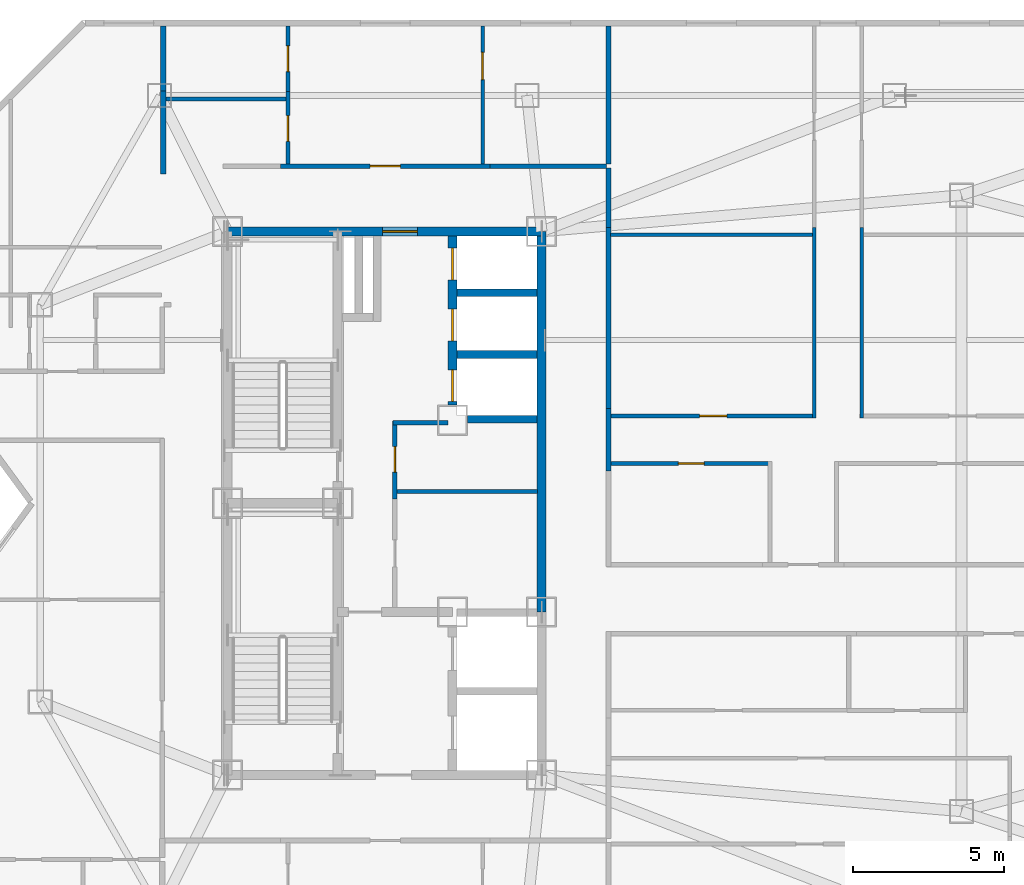
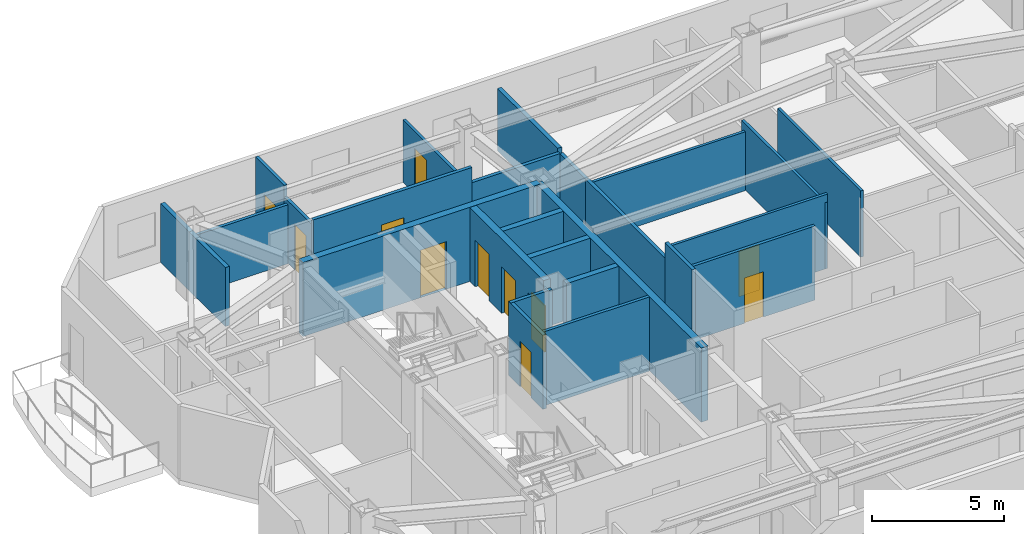
# One storey, part 6 of 11: 26 walls, 11 doors, 11 openings.
"""IFC4 building model written with IfcOpenShell, lengths in metres."""

import ifcopenshell
import ifcopenshell.guid

model = None  # the IFC model being written
_history = None  # IfcOwnerHistory: only IFC2X3 demands one
_inside = {}  # id of a spatial element -> (the spatial element, [elements in it])
_under = {}  # id of a project, library or spatial element -> (it, [spatial elements below it])
_declared = {}  # id of a project -> (the project, [libraries it declares])
_typed = {}  # id of a type object -> (the type object, [elements of that type])
_made_of = {}  # id of a material, layer set ... -> (it, [elements and type objects made of it])


def new_model(schema):
    """Start an empty IFC model of exactly this schema.

    Asked for "IFC4X3", IfcOpenShell would pick the latest addendum, in which some entities
    have other attributes; the version numbers below select the first issue.
    IFC2X3 requires an IfcOwnerHistory on every rooted entity: one is made here for all.
    """
    global model, _history
    if schema == "IFC4X3":
        model = ifcopenshell.file(schema_version=(4, 3, 0, 0))
    else:
        model = ifcopenshell.file(schema=schema)
    _inside.clear()
    _under.clear()
    _declared.clear()
    _typed.clear()
    _made_of.clear()
    _history = None
    if model.schema == "IFC2X3":
        org = make("IfcOrganization", Name="unknown")
        user = make(
            "IfcPersonAndOrganization",
            ThePerson=make("IfcPerson", FamilyName="unknown"),
            TheOrganization=org,
        )
        app = make(
            "IfcApplication",
            ApplicationDeveloper=org,
            Version="unknown",
            ApplicationFullName="unknown",
            ApplicationIdentifier="unknown",
        )
        _history = make(
            "IfcOwnerHistory",
            OwningUser=user,
            OwningApplication=app,
            ChangeAction="ADDED",
            CreationDate=0,
        )
    return model


def make(cls, **values):
    """One entity of the class cls with the attributes given. An attribute that is None is left unset."""
    return model.create_entity(
        cls, **{name: value for name, value in values.items() if value is not None}
    )


def rooted(cls, **values):
    """An entity with a GlobalId (a new one), such as an element, a storey or a relation."""
    return make(cls, GlobalId=ifcopenshell.guid.new(), OwnerHistory=_history, **values)


def si_unit(unit_type, name, prefix=None):
    """IfcSIUnit, for example si_unit("LENGTHUNIT", "METRE", prefix="MILLI")."""
    return make("IfcSIUnit", UnitType=unit_type, Prefix=prefix, Name=name)


def assignment(units):
    """IfcUnitAssignment: the units of a project."""
    return None if units is None else make("IfcUnitAssignment", Units=units)


def point(xyz):
    """IfcCartesianPoint."""
    return None if xyz is None else make("IfcCartesianPoint", Coordinates=xyz)


def direction(xyz):
    """IfcDirection."""
    return None if xyz is None else make("IfcDirection", DirectionRatios=xyz)


def frame(location, z_axis=None, x_axis=None):
    """IfcAxis2Placement3D, a coordinate frame: its origin and axes. An axis left out is left unset."""
    return make(
        "IfcAxis2Placement3D",
        Location=point(location),
        Axis=direction(z_axis),
        RefDirection=direction(x_axis),
    )


def frame_2d(location, x_axis=None):
    """IfcAxis2Placement2D, a coordinate frame in the plane: its origin and x axis."""
    return make(
        "IfcAxis2Placement2D", Location=point(location), RefDirection=direction(x_axis)
    )


def origin():
    """The frame at (0, 0, 0) with its axes left unset."""
    return frame((0.0, 0.0, 0.0))


def place(relative_to, where):
    """IfcLocalPlacement: puts the frame where relative to a parent placement (None: the world)."""
    return make(
        "IfcLocalPlacement", PlacementRelTo=relative_to, RelativePlacement=where
    )


def context(
    kind, dimensions, precision=None, world=None, true_north=None, identifier=None
):
    """IfcGeometricRepresentationContext, for example the 3D "Model" context."""
    return make(
        "IfcGeometricRepresentationContext",
        ContextIdentifier=identifier,
        ContextType=kind,
        CoordinateSpaceDimension=dimensions,
        Precision=precision,
        WorldCoordinateSystem=world,
        TrueNorth=true_north,
    )


def subcontext(parent, identifier, kind, view, scale=None):
    """IfcGeometricRepresentationSubContext, for example "Body" below "Model"."""
    return make(
        "IfcGeometricRepresentationSubContext",
        ContextIdentifier=identifier,
        ContextType=kind,
        ParentContext=parent,
        TargetScale=scale,
        TargetView=view,
    )


def project(units=None, contexts=None):
    """IfcProject with its units and contexts."""
    return rooted(
        "IfcProject",
        Name="project",
        RepresentationContexts=contexts,
        UnitsInContext=assignment(units),
    )


def spatial(cls, under=None, at=None, **own):
    """A site, building, storey or space (cls), placed at a placement, below another one or the project."""
    s = rooted(cls, ObjectPlacement=at, **own)
    if under is not None:
        _under.setdefault(under.id(), (under, []))[1].append(s)
    return s


def profile(cls, at=None, kind="AREA", **sizes):
    """A parametric profile (cls). Its sizes go by their IFC names, for example OverallWidth=200.0."""
    return make(cls, ProfileType=kind, Position=at, **sizes)


def rectangle(**sizes):
    """IfcRectangleProfileDef."""
    return profile("IfcRectangleProfileDef", **sizes)


def extrude(swept, where, along, depth):
    """IfcExtrudedAreaSolid: the profile swept, set in the frame where, extruded along a direction by depth."""
    return make(
        "IfcExtrudedAreaSolid",
        SweptArea=swept,
        Position=where,
        ExtrudedDirection=direction(along),
        Depth=depth,
    )


def shape(context_of_items, identifier, shape_type, items):
    """IfcShapeRepresentation: the items that make up one representation, for example the "Body"."""
    return make(
        "IfcShapeRepresentation",
        ContextOfItems=context_of_items,
        RepresentationIdentifier=identifier,
        RepresentationType=shape_type,
        Items=items,
    )


def material(Name=None, Category=None):
    """IfcMaterial."""
    return make("IfcMaterial", Name=Name, Category=Category)


def layer(
    of_material, thickness, ventilated=None, Name=None, Category=None, Priority=None
):
    """IfcMaterialLayer: one layer of a wall or slab, of a material (None: an air gap)."""
    return make(
        "IfcMaterialLayer",
        Material=of_material,
        LayerThickness=thickness,
        IsVentilated=ventilated,
        Name=Name,
        Category=Category,
        Priority=Priority,
    )


def layer_set(layers, Name=None):
    """IfcMaterialLayerSet."""
    return make("IfcMaterialLayerSet", MaterialLayers=layers, LayerSetName=Name)


def made_of(thing, what):
    """Note that an element or type object is made of a material, layer set ...; save() writes the relation."""
    if what is not None:
        _made_of.setdefault(what.id(), (what, []))[1].append(thing)
    return thing


def type_object(cls, material=None, **own):
    """A type object (cls), such as IfcWallType, which elements share."""
    return made_of(rooted(cls, **own), material)


def element(
    cls,
    number,
    at=None,
    inside=None,
    cuts=None,
    type_object=None,
    material=None,
    context=None,
    identifier="Body",
    shape_type=None,
    held_by="IfcProductDefinitionShape",
    body=None,
    shapes=None,
    **own,
):
    """One element of the class cls, such as IfcWall. Its Tag is "e" and its number.

    at: its placement. inside: the storey or other place that contains it. cuts: it is an
    opening in that element (IfcRelVoidsElement). A single representation is given by context,
    identifier, shape_type and body (its items); several are given by shapes. held_by: the class
    of the entity that holds the representations. save() writes the other relations.
    """
    e = rooted(cls, Tag="e%d" % number, ObjectPlacement=at, **own)
    if body is not None:
        shapes = [shape(context, identifier, shape_type, body)]
    if shapes is not None:
        e.Representation = make(held_by, Representations=shapes)
    if inside is not None:
        _inside.setdefault(inside.id(), (inside, []))[1].append(e)
    if cuts is not None:
        rooted(
            "IfcRelVoidsElement", RelatingBuildingElement=cuts, RelatedOpeningElement=e
        )
    if type_object is not None:
        _typed.setdefault(type_object.id(), (type_object, []))[1].append(e)
    return made_of(e, material)


def fill(opening, filler):
    """IfcRelFillsElement: the door or window that sits in an opening."""
    return rooted(
        "IfcRelFillsElement",
        RelatingOpeningElement=opening,
        RelatedBuildingElement=filler,
    )


def aggregate(whole, parts):
    """IfcRelAggregates: a whole, such as a stair, and the parts it consists of."""
    return rooted("IfcRelAggregates", RelatingObject=whole, RelatedObjects=parts)


def save(model, path):
    """Write the relations noted so far, then the file.

    IfcRelAggregates (storeys below a building ...), IfcRelContainedInSpatialStructure (elements
    in a storey), IfcRelDefinesByType, IfcRelAssociatesMaterial and IfcRelDeclares: one each for
    every whole, place, type object, material and project.
    """
    for whole, parts in _under.values():
        aggregate(whole, parts)
    for where, things in _inside.values():
        rooted(
            "IfcRelContainedInSpatialStructure",
            RelatedElements=things,
            RelatingStructure=where,
        )
    for kind, things in _typed.values():
        rooted("IfcRelDefinesByType", RelatedObjects=things, RelatingType=kind)
    for what, things in _made_of.values():
        rooted("IfcRelAssociatesMaterial", RelatedObjects=things, RelatingMaterial=what)
    for by, libraries in _declared.values():
        rooted("IfcRelDeclares", RelatingContext=by, RelatedDefinitions=libraries)
    model.write(path)


model = new_model("IFC4")

# Units and contexts
model_context = context("Model", 3, precision=1e-05, world=origin(), true_north=direction((0.0, 1.0)))
body_context = subcontext(model_context, "Body", "Model", "MODEL_VIEW")
ifc_project = project(units=[si_unit("LENGTHUNIT", "METRE"), si_unit("AREAUNIT", "SQUARE_METRE"), si_unit("VOLUMEUNIT", "CUBIC_METRE"), si_unit("PLANEANGLEUNIT", "RADIAN"), si_unit("MASSUNIT", "GRAM", prefix="KILO")], contexts=[model_context])

# Site, building, storey
site_placement = place(None, origin())
site = spatial("IfcSite", under=ifc_project, at=site_placement, CompositionType="ELEMENT")
building_placement = place(site_placement, origin())
building = spatial("IfcBuilding", under=site, at=building_placement, Name="Khamvora Tower", CompositionType="ELEMENT")
storey_placement = place(building_placement, frame((0.0, 0.0, 239.10009765625)))
storey = spatial("IfcBuildingStorey", under=building, at=storey_placement, Name="L61", CompositionType="ELEMENT", Elevation=239.10009765625)

# Wall, opening, door
ifc_material_1 = material(Name="Concrete C50/60", Category="concrete")
ifc_layer_1 = layer(ifc_material_1, 0.300048828125)
ifc_layer_set_1 = layer_set([ifc_layer_1], Name="Concrete C50/60")
wall_type_1 = type_object("IfcWallType", Name="WAL-CORE-300", PredefinedType="SHEAR", material=ifc_layer_set_1)
wall_1_placement = place(storey_placement, frame((29.0, 37.0, 0.0), z_axis=(0.0, 0.0, 1.0), x_axis=(1.0, 0.0, 0.0)))
wall_1 = element("IfcWall", 1, at=wall_1_placement, inside=storey, type_object=wall_type_1, Name="L61 central core north wall", PredefinedType="SHEAR", context=body_context, shape_type="SweptSolid", body=[
    extrude(rectangle(XDim=10.39990234375, YDim=0.300048828125, at=frame_2d((5.199951171875, 0.0))), origin(), (0.0, 0.0, 1.0), 3.429931640625),
])
opening_1_placement = place(wall_1_placement, frame((5.139892578125, 0.0, 0.0)))
opening_1 = element("IfcOpeningElement", 2, at=opening_1_placement, cuts=wall_1, Name="Opening D-SC1", PredefinedType="OPENING", context=body_context, shape_type="SweptSolid", body=[
    extrude(rectangle(XDim=1.14990234375, YDim=2.199951171875, at=frame_2d((0.574951171875, 1.10009765625))), frame((0.0, 0.159912109375, 0.0), z_axis=(0.0, -1.0, 0.0), x_axis=(1.0, 0.0, 0.0)), (0.0, 0.0, 1.0), 0.320068359375),
])
ifc_material_2 = material(Name="Powder-Coated Steel and Hardwood Leaf", Category="steel")
door_type_1 = type_object("IfcDoorType", Name="DOR-SCHL-1150", OperationType="NOTDEFINED", PredefinedType="DOOR", material=ifc_material_2)
door_1_placement = place(opening_1_placement, origin())
door_1 = element("IfcDoor", 3, at=door_1_placement, inside=storey, type_object=door_type_1, Name="L61 north core lobby to corridor fire door", OperationType="SINGLE_SWING_RIGHT", OverallHeight=2.199951171875, OverallWidth=1.14990234375, PredefinedType="DOOR", context=body_context, shape_type="SweptSolid", body=[
    extrude(rectangle(XDim=1.14990234375, YDim=2.199951171875, at=frame_2d((0.574951171875, 1.10009765625))), frame((0.0, 0.02490234375, 0.0), z_axis=(0.0, -1.0, 0.0), x_axis=(1.0, 0.0, 0.0)), (0.0, 0.0, 1.0), 0.050048828125),
])
fill(opening_1, door_1)

# Wall
wall_2_placement = place(storey_placement, frame((39.39990234375, 24.39990234375, 0.0), z_axis=(0.0, 0.0, 1.0), x_axis=(0.0, 1.0, 0.0)))
element("IfcWall", 4, at=wall_2_placement, inside=storey, type_object=wall_type_1, Name="L61 central core east north wall", PredefinedType="SHEAR", context=body_context, shape_type="SweptSolid", body=[
    extrude(rectangle(XDim=12.60009765625, YDim=0.300048828125, at=frame_2d((6.300048828125, 0.0))), origin(), (0.0, 0.0, 1.0), 3.429931640625),
])

# Wall, openings, doors
wall_3_placement = place(storey_placement, frame((36.449951171875, 31.25, 0.0), z_axis=(0.0, 0.0, 1.0), x_axis=(0.0, 1.0, 0.0)))
wall_3 = element("IfcWall", 5, at=wall_3_placement, inside=storey, type_object=wall_type_1, Name="L61 central core lift bank central wall", PredefinedType="SHEAR", context=body_context, shape_type="SweptSolid", body=[
    extrude(rectangle(XDim=5.595947265625, YDim=0.300048828125, at=frame_2d((2.7978515625, 0.0))), origin(), (0.0, 0.0, 1.0), 3.429931640625),
])
opening_2_placement = place(wall_3_placement, frame((0.1201171875, 0.0, 0.0)))
opening_2 = element("IfcOpeningElement", 6, at=opening_2_placement, cuts=wall_3, Name="Opening LD-PL", PredefinedType="OPENING", context=body_context, shape_type="SweptSolid", body=[
    extrude(rectangle(XDim=1.050048828125, YDim=2.14990234375, at=frame_2d((0.52490234375, 1.074951171875))), frame((0.0, 0.159912109375, 0.0), z_axis=(0.0, -1.0, 0.0), x_axis=(1.0, 0.0, 0.0)), (0.0, 0.0, 1.0), 0.320068359375),
])
opening_3_placement = place(wall_3_placement, frame((2.125, 0.0, 0.0)))
opening_3 = element("IfcOpeningElement", 7, at=opening_3_placement, cuts=wall_3, Name="Opening LD-PL", PredefinedType="OPENING", context=body_context, shape_type="SweptSolid", body=[
    extrude(rectangle(XDim=1.050048828125, YDim=2.14990234375, at=frame_2d((0.52490234375, 1.074951171875))), frame((0.0, 0.159912109375, 0.0), z_axis=(0.0, -1.0, 0.0), x_axis=(1.0, 0.0, 0.0)), (0.0, 0.0, 1.0), 0.320068359375),
])
opening_4_placement = place(wall_3_placement, frame((4.14501953125, 0.0, 0.0)))
opening_4 = element("IfcOpeningElement", 8, at=opening_4_placement, cuts=wall_3, Name="Opening LD-PL", PredefinedType="OPENING", context=body_context, shape_type="SweptSolid", body=[
    extrude(rectangle(XDim=1.050048828125, YDim=2.14990234375, at=frame_2d((0.52490234375, 1.074951171875))), frame((0.0, 0.159912109375, 0.0), z_axis=(0.0, -1.0, 0.0), x_axis=(1.0, 0.0, 0.0)), (0.0, 0.0, 1.0), 0.320068359375),
])
door_type_2 = type_object("IfcDoorType", Name="DOR-LIFT-1050", OperationType="SLIDING_TO_LEFT", PredefinedType="DOOR", material=ifc_material_2)
door_2_placement = place(opening_2_placement, origin())
door_2 = element("IfcDoor", 9, at=door_2_placement, inside=storey, type_object=door_type_2, Name="L61 lift landing sliding door PH-01", OperationType="SLIDING_TO_LEFT", OverallHeight=2.14990234375, OverallWidth=1.050048828125, PredefinedType="DOOR", context=body_context, shape_type="SweptSolid", body=[
    extrude(rectangle(XDim=1.050048828125, YDim=2.14990234375, at=frame_2d((0.52490234375, 1.074951171875))), frame((0.0, 0.02490234375, 0.0), z_axis=(0.0, -1.0, 0.0), x_axis=(1.0, 0.0, 0.0)), (0.0, 0.0, 1.0), 0.050048828125),
])
fill(opening_2, door_2)
door_3_placement = place(opening_3_placement, origin())
door_3 = element("IfcDoor", 10, at=door_3_placement, inside=storey, type_object=door_type_2, Name="L61 lift landing sliding door PH-02", OperationType="SLIDING_TO_LEFT", OverallHeight=2.14990234375, OverallWidth=1.050048828125, PredefinedType="DOOR", context=body_context, shape_type="SweptSolid", body=[
    extrude(rectangle(XDim=1.050048828125, YDim=2.14990234375, at=frame_2d((0.52490234375, 1.074951171875))), frame((0.0, 0.02490234375, 0.0), z_axis=(0.0, -1.0, 0.0), x_axis=(1.0, 0.0, 0.0)), (0.0, 0.0, 1.0), 0.050048828125),
])
fill(opening_3, door_3)
door_4_placement = place(opening_4_placement, origin())
door_4 = element("IfcDoor", 11, at=door_4_placement, inside=storey, type_object=door_type_2, Name="L61 lift landing sliding door PH-03", OperationType="SLIDING_TO_LEFT", OverallHeight=2.14990234375, OverallWidth=1.050048828125, PredefinedType="DOOR", context=body_context, shape_type="SweptSolid", body=[
    extrude(rectangle(XDim=1.050048828125, YDim=2.14990234375, at=frame_2d((0.52490234375, 1.074951171875))), frame((0.0, 0.02490234375, 0.0), z_axis=(0.0, -1.0, 0.0), x_axis=(1.0, 0.0, 0.0)), (0.0, 0.0, 1.0), 0.050048828125),
])
fill(opening_4, door_4)

# Wall
ifc_material_3 = material(Name="Fire-Rated Drywall and Steel Stud", Category="steel")
ifc_layer_2 = layer(ifc_material_3, 0.14990234375)
ifc_layer_set_2 = layer_set([ifc_layer_2], Name="Fire-Rated Drywall and Steel Stud")
wall_type_2 = type_object("IfcWallType", Name="WAL-CORR-150", PredefinedType="STANDARD", material=ifc_layer_set_2)
wall_4_placement = place(storey_placement, frame((36.300048828125, 30.6650390625, 0.0), z_axis=(0.0, 0.0, 1.0), x_axis=(-1.0, 0.0, 0.0)))
element("IfcWall", 12, at=wall_4_placement, inside=storey, type_object=wall_type_2, Name="L61 interior partition wall 001", PredefinedType="STANDARD", context=body_context, shape_type="SweptSolid", body=[
    extrude(rectangle(XDim=1.820068359375, YDim=0.14990234375, at=frame_2d((0.91015625, 0.0))), origin(), (0.0, 0.0, 1.0), 3.429931640625),
])

# Wall, opening, door
wall_5_placement = place(storey_placement, frame((34.544921875, 30.72998046875, 0.0), z_axis=(0.0, 0.0, 1.0), x_axis=(0.0, -1.0, 0.0)))
wall_5 = element("IfcWall", 13, at=wall_5_placement, inside=storey, type_object=wall_type_2, Name="L61 interior partition wall 002", PredefinedType="STANDARD", context=body_context, shape_type="SweptSolid", body=[
    extrude(rectangle(XDim=2.593994140625, YDim=0.14990234375, at=frame_2d((1.296875, 0.0))), origin(), (0.0, 0.0, 1.0), 3.429931640625),
])
opening_5_placement = place(wall_5_placement, frame((0.85107421875, 0.0, 0.0)))
opening_5 = element("IfcOpeningElement", 14, at=opening_5_placement, cuts=wall_5, Name="Opening D-WC1", PredefinedType="OPENING", context=body_context, shape_type="SweptSolid", body=[
    extrude(rectangle(XDim=0.85009765625, YDim=2.10009765625, at=frame_2d((0.425048828125, 1.050048828125))), frame((0.0, 0.0849609375, 0.0), z_axis=(0.0, -1.0, 0.0), x_axis=(1.0, 0.0, 0.0)), (0.0, 0.0, 1.0), 0.169921875),
])
door_type_3 = type_object("IfcDoorType", Name="DOR-WET-850", OperationType="NOTDEFINED", PredefinedType="DOOR", material=ifc_material_2)
door_5_placement = place(opening_5_placement, origin())
door_5 = element("IfcDoor", 15, at=door_5_placement, inside=storey, type_object=door_type_3, Name="L61 interior door PHL-CS1", OperationType="SINGLE_SWING_LEFT", OverallHeight=2.10009765625, OverallWidth=0.85009765625, PredefinedType="DOOR", context=body_context, shape_type="SweptSolid", body=[
    extrude(rectangle(XDim=0.85009765625, YDim=2.10009765625, at=frame_2d((0.425048828125, 1.050048828125))), frame((0.0, 0.02490234375, 0.0), z_axis=(0.0, -1.0, 0.0), x_axis=(1.0, 0.0, 0.0)), (0.0, 0.0, 1.0), 0.050048828125),
])
fill(opening_5, door_5)

wall_6_placement = place(storey_placement, frame((30.7509765625, 39.1650390625, 0.0), z_axis=(0.0, 0.0, 1.0), x_axis=(1.0, 0.0, 0.0)))
wall_6 = element("IfcWall", 16, at=wall_6_placement, inside=storey, type_object=wall_type_2, Name="L61 interior partition wall 015", PredefinedType="STANDARD", context=body_context, shape_type="SweptSolid", body=[
    extrude(rectangle(XDim=6.947998046875, YDim=0.14990234375, at=frame_2d((3.47412109375, 0.0))), origin(), (0.0, 0.0, 1.0), 3.429931640625),
])
opening_6_placement = place(wall_6_placement, frame((2.97412109375, 0.0, 0.0)))
opening_6 = element("IfcOpeningElement", 17, at=opening_6_placement, cuts=wall_6, Name="Opening D-U1", PredefinedType="OPENING", context=body_context, shape_type="SweptSolid", body=[
    extrude(rectangle(XDim=1.0, YDim=2.14990234375, at=frame_2d((0.5, 1.074951171875))), frame((0.0, 0.0849609375, 0.0), z_axis=(0.0, -1.0, 0.0), x_axis=(1.0, 0.0, 0.0)), (0.0, 0.0, 1.0), 0.169921875),
])
door_type_4 = type_object("IfcDoorType", Name="DOR-UNIT-1000", OperationType="NOTDEFINED", PredefinedType="DOOR", material=ifc_material_2)
door_6_placement = place(opening_6_placement, origin())
door_6 = element("IfcDoor", 18, at=door_6_placement, inside=storey, type_object=door_type_4, Name="L61 interior door COR-61NAH", OperationType="SINGLE_SWING_RIGHT", OverallHeight=2.14990234375, OverallWidth=1.0, PredefinedType="DOOR", context=body_context, shape_type="SweptSolid", body=[
    extrude(rectangle(XDim=1.0, YDim=2.14990234375, at=frame_2d((0.5, 1.074951171875))), frame((0.0, 0.02490234375, 0.0), z_axis=(0.0, -1.0, 0.0), x_axis=(1.0, 0.0, 0.0)), (0.0, 0.0, 1.0), 0.050048828125),
])
fill(opening_6, door_6)

# Walls
wall_7_placement = place(storey_placement, frame((37.698974609375, 39.1650390625, 0.0), z_axis=(0.0, 0.0, 1.0), x_axis=(1.0, 0.0, 0.0)))
element("IfcWall", 19, at=wall_7_placement, inside=storey, type_object=wall_type_2, Name="L61 interior partition wall 017", PredefinedType="STANDARD", context=body_context, shape_type="SweptSolid", body=[
    extrude(rectangle(XDim=3.85107421875, YDim=0.14990234375, at=frame_2d((1.925537109375, 0.0))), origin(), (0.0, 0.0, 1.0), 2.724853515625),
])
wall_8_placement = place(storey_placement, frame((41.614990234375, 31.138916015625, 0.0), z_axis=(0.0, 0.0, 1.0), x_axis=(0.0, -1.0, 0.0)))
element("IfcWall", 20, at=wall_8_placement, inside=storey, type_object=wall_type_2, Name="L61 interior partition wall 026", PredefinedType="STANDARD", context=body_context, shape_type="SweptSolid", body=[
    extrude(rectangle(XDim=2.077880859375, YDim=0.14990234375, at=frame_2d((1.0390625, 0.0))), origin(), (0.0, 0.0, 1.0), 3.429931640625),
])
wall_9_placement = place(storey_placement, frame((41.614990234375, 37.136962890625, 0.0), z_axis=(0.0, 0.0, 1.0), x_axis=(0.0, -1.0, 0.0)))
element("IfcWall", 21, at=wall_9_placement, inside=storey, type_object=wall_type_2, Name="L61 interior partition wall 031", PredefinedType="STANDARD", context=body_context, shape_type="SweptSolid", body=[
    extrude(rectangle(XDim=5.998046875, YDim=0.14990234375, at=frame_2d((2.9990234375, 0.0))), origin(), (0.0, 0.0, 1.0), 2.724853515625),
])
wall_10_placement = place(storey_placement, frame((41.614990234375, 39.10009765625, 0.0), z_axis=(0.0, 0.0, 1.0), x_axis=(0.0, -1.0, 0.0)))
element("IfcWall", 22, at=wall_10_placement, inside=storey, type_object=wall_type_2, Name="L61 interior partition wall 032", PredefinedType="STANDARD", context=body_context, shape_type="SweptSolid", body=[
    extrude(rectangle(XDim=1.963134765625, YDim=0.14990234375, at=frame_2d((0.9814453125, 0.0))), origin(), (0.0, 0.0, 1.0), 2.724853515625),
])
ifc_material_4 = material(Name="Acoustic Double-Stud Fire Wall", Category="gypsum")
ifc_layer_3 = layer(ifc_material_4, 0.179931640625)
ifc_layer_set_3 = layer_set([ifc_layer_3], Name="Acoustic Double-Stud Fire Wall")
wall_type_3 = type_object("IfcWallType", Name="WAL-CORR-180", PredefinedType="STANDARD", material=ifc_layer_set_3)
wall_11_placement = place(storey_placement, frame((26.875, 41.64306640625, 0.0), z_axis=(0.0, 0.0, 1.0), x_axis=(0.0, -1.0, 0.0)))
element("IfcWall", 23, at=wall_11_placement, inside=storey, type_object=wall_type_3, Name="L61 interior partition wall 049", PredefinedType="STANDARD", context=body_context, shape_type="SweptSolid", body=[
    extrude(rectangle(XDim=2.740966796875, YDim=0.179931640625, at=frame_2d((1.37060546875, 0.0))), origin(), (0.0, 0.0, 1.0), 2.724853515625),
])
wall_12_placement = place(storey_placement, frame((26.875, 43.80810546875, 0.0), z_axis=(0.0, 0.0, 1.0), x_axis=(0.0, -1.0, 0.0)))
element("IfcWall", 24, at=wall_12_placement, inside=storey, type_object=wall_type_3, Name="L61 interior partition wall 050", PredefinedType="STANDARD", context=body_context, shape_type="SweptSolid", body=[
    extrude(rectangle(XDim=2.1650390625, YDim=0.179931640625, at=frame_2d((1.08251953125, 0.0))), origin(), (0.0, 0.0, 1.0), 2.724853515625),
])
wall_13_placement = place(storey_placement, frame((41.614990234375, 43.80810546875, 0.0), z_axis=(0.0, 0.0, 1.0), x_axis=(0.0, -1.0, 0.0)))
element("IfcWall", 25, at=wall_13_placement, inside=storey, type_object=wall_type_3, Name="L61 interior partition wall 060", PredefinedType="STANDARD", context=body_context, shape_type="SweptSolid", body=[
    extrude(rectangle(XDim=4.578125, YDim=0.179931640625, at=frame_2d((2.2890625, 0.0))), origin(), (0.0, 0.0, 1.0), 2.886962890625),
])

# Wall, opening, door
ifc_material_5 = material(Name="Gypsum Plasterboard Partition", Category="gypsum")
ifc_layer_4 = layer(ifc_material_5, 0.1201171875)
ifc_layer_set_4 = layer_set([ifc_layer_4], Name="Gypsum Plasterboard Partition")
wall_type_4 = type_object("IfcWallType", Name="WAL-PART-120", PredefinedType="PARTITIONING", material=ifc_layer_set_4)
wall_14_placement = place(storey_placement, frame((37.449951171875, 43.80810546875, 0.0), z_axis=(0.0, 0.0, 1.0), x_axis=(0.0, -1.0, 0.0)))
wall_14 = element("IfcWall", 26, at=wall_14_placement, inside=storey, type_object=wall_type_4, Name="L61 interior partition wall 058", PredefinedType="PARTITIONING", context=body_context, shape_type="SweptSolid", body=[
    extrude(rectangle(XDim=4.576171875, YDim=0.1201171875, at=frame_2d((2.2880859375, 0.0))), origin(), (0.0, 0.0, 1.0), 2.886962890625),
])
opening_7_placement = place(wall_14_placement, frame((0.884033203125, 0.0, 0.0)))
opening_7 = element("IfcOpeningElement", 27, at=opening_7_placement, cuts=wall_14, Name="Opening D-RM1", PredefinedType="OPENING", context=body_context, shape_type="SweptSolid", body=[
    extrude(rectangle(XDim=0.89990234375, YDim=2.10009765625, at=frame_2d((0.449951171875, 1.050048828125))), frame((0.0, 0.070068359375, 0.0), z_axis=(0.0, -1.0, 0.0), x_axis=(1.0, 0.0, 0.0)), (0.0, 0.0, 1.0), 0.14013671875),
])
door_type_5 = type_object("IfcDoorType", Name="DOR-ROOM-900", OperationType="NOTDEFINED", PredefinedType="DOOR", material=ifc_material_2)
door_7_placement = place(opening_7_placement, origin())
door_7 = element("IfcDoor", 28, at=door_7_placement, inside=storey, type_object=door_type_5, Name="L61 interior door 61NAH-61NAR1", OperationType="SINGLE_SWING_RIGHT", OverallHeight=2.10009765625, OverallWidth=0.89990234375, PredefinedType="DOOR", context=body_context, shape_type="SweptSolid", body=[
    extrude(rectangle(XDim=0.89990234375, YDim=2.10009765625, at=frame_2d((0.449951171875, 1.050048828125))), frame((0.0, 0.02490234375, 0.0), z_axis=(0.0, -1.0, 0.0), x_axis=(1.0, 0.0, 0.0)), (0.0, 0.0, 1.0), 0.050048828125),
])
fill(opening_7, door_7)

# Wall
wall_15_placement = place(storey_placement, frame((48.425048828125, 30.824951171875, 0.0), z_axis=(0.0, 0.0, 1.0), x_axis=(0.0, 1.0, 0.0)))
element("IfcWall", 29, at=wall_15_placement, inside=storey, type_object=wall_type_4, Name="L61 interior partition wall 081", PredefinedType="PARTITIONING", context=body_context, shape_type="SweptSolid", body=[
    extrude(rectangle(XDim=6.31201171875, YDim=0.1201171875, at=frame_2d((3.156005859375, 0.0))), origin(), (0.0, 0.0, 1.0), 3.06494140625),
])

# Wall, opening, door
wall_16_placement = place(storey_placement, frame((41.681884765625, 30.889892578125, 0.0), z_axis=(0.0, 0.0, 1.0), x_axis=(1.0, 0.0, 0.0)))
wall_16 = element("IfcWall", 30, at=wall_16_placement, inside=storey, type_object=wall_type_4, Name="L61 interior partition wall 082", PredefinedType="PARTITIONING", context=body_context, shape_type="SweptSolid", body=[
    extrude(rectangle(XDim=6.80810546875, YDim=0.1201171875, at=frame_2d((3.404052734375, 0.0))), origin(), (0.0, 0.0, 1.0), 3.429931640625),
])
opening_8_placement = place(wall_16_placement, frame((2.9541015625, 0.0, 0.0)))
opening_8 = element("IfcOpeningElement", 31, at=opening_8_placement, cuts=wall_16, Name="Opening D-RM1", PredefinedType="OPENING", context=body_context, shape_type="SweptSolid", body=[
    extrude(rectangle(XDim=0.89990234375, YDim=2.10009765625, at=frame_2d((0.449951171875, 1.050048828125))), frame((0.0, 0.070068359375, 0.0), z_axis=(0.0, -1.0, 0.0), x_axis=(1.0, 0.0, 0.0)), (0.0, 0.0, 1.0), 0.14013671875),
])
door_8_placement = place(opening_8_placement, origin())
door_8 = element("IfcDoor", 32, at=door_8_placement, inside=storey, type_object=door_type_5, Name="L61 interior door 61EB1H-61EB1R1", OperationType="SINGLE_SWING_RIGHT", OverallHeight=2.10009765625, OverallWidth=0.89990234375, PredefinedType="DOOR", context=body_context, shape_type="SweptSolid", body=[
    extrude(rectangle(XDim=0.89990234375, YDim=2.10009765625, at=frame_2d((0.449951171875, 1.050048828125))), frame((0.0, 0.02490234375, 0.0), z_axis=(0.0, -1.0, 0.0), x_axis=(1.0, 0.0, 0.0)), (0.0, 0.0, 1.0), 0.050048828125),
])
fill(opening_8, door_8)

# Walls
wall_17_placement = place(storey_placement, frame((49.9951171875, 37.136962890625, 0.0), z_axis=(0.0, 0.0, 1.0), x_axis=(0.0, -1.0, 0.0)))
element("IfcWall", 33, at=wall_17_placement, inside=storey, type_object=wall_type_4, Name="L61 interior partition wall 084", PredefinedType="PARTITIONING", context=body_context, shape_type="SweptSolid", body=[
    extrude(rectangle(XDim=6.31201171875, YDim=0.1201171875, at=frame_2d((3.156005859375, 0.0))), origin(), (0.0, 0.0, 1.0), 3.06494140625),
])
wall_18_placement = place(storey_placement, frame((41.681884765625, 36.886962890625, 0.0), z_axis=(0.0, 0.0, 1.0), x_axis=(1.0, 0.0, 0.0)))
element("IfcWall", 34, at=wall_18_placement, inside=storey, type_object=wall_type_4, Name="L61 interior partition wall 089", PredefinedType="PARTITIONING", context=body_context, shape_type="SweptSolid", body=[
    extrude(rectangle(XDim=6.689208984375, YDim=0.1201171875, at=frame_2d((3.3447265625, 0.0))), origin(), (0.0, 0.0, 1.0), 2.724853515625),
])
ifc_material_6 = material(Name="Concrete C40/50", Category="concrete")
ifc_layer_5 = layer(ifc_material_6, 0.25)
ifc_layer_set_5 = layer_set([ifc_layer_5], Name="Concrete C40/50")
wall_type_5 = type_object("IfcWallType", Name="WAL-PODS-250", PredefinedType="SHEAR", material=ifc_layer_set_5)
wall_19_placement = place(storey_placement, frame((36.9541015625, 30.77490234375, 0.0), z_axis=(0.0, 0.0, 1.0), x_axis=(1.0, 0.0, 0.0)))
element("IfcWall", 35, at=wall_19_placement, inside=storey, type_object=wall_type_5, Name="L61 high-rise lift shaft south enclosure wall PH-01", PredefinedType="SHEAR", context=body_context, shape_type="SweptSolid", body=[
    extrude(rectangle(XDim=2.2919921875, YDim=0.25, at=frame_2d((1.14599609375, 0.0))), origin(), (0.0, 0.0, 1.0), 3.429931640625),
])
for number, where, z_axis, x_axis, name in (
    (36, (36.60400390625, 32.925048828125, 0.0), (0.0, 0.0, 1.0), (1.0, 0.0, 0.0), "L61 lift shaft divider wall PH-01"),
    (37, (36.60400390625, 34.97509765625, 0.0), (0.0, 0.0, 1.0), (1.0, 0.0, 0.0), "L61 lift shaft divider wall PH-02"),
):
    element("IfcWall", number, at=place(storey_placement, frame(where, z_axis=z_axis, x_axis=x_axis)), inside=storey, type_object=wall_type_5, Name=name, PredefinedType="SHEAR", context=body_context, shape_type="SweptSolid", body=[
        extrude(rectangle(XDim=2.64208984375, YDim=0.25, at=frame_2d((1.321044921875, 0.0))), origin(), (0.0, 0.0, 1.0), 3.429931640625),
    ])
ifc_material_7 = material(Name="Moisture-Resistant Plasterboard Partition", Category="gypsum")
ifc_layer_6 = layer(ifc_material_7, 0.135009765625)
ifc_layer_set_6 = layer_set([ifc_layer_6], Name="Moisture-Resistant Plasterboard Partition")
wall_type_6 = type_object("IfcWallType", Name="WAL-WET-135", PredefinedType="PARTITIONING", material=ifc_layer_set_6)
wall_20_placement = place(storey_placement, frame((39.256103515625, 28.385009765625, 0.0), z_axis=(0.0, 0.0, 1.0), x_axis=(-1.0, 0.0, 0.0)))
element("IfcWall", 38, at=wall_20_placement, inside=storey, type_object=wall_type_6, Name="L61 interior partition wall 004", PredefinedType="PARTITIONING", context=body_context, shape_type="SweptSolid", body=[
    extrude(rectangle(XDim=4.64404296875, YDim=0.135009765625, at=frame_2d((2.322021484375, 0.0))), origin(), (0.0, 0.0, 1.0), 3.429931640625),
])

# Wall, opening, door
wall_21_placement = place(storey_placement, frame((31.0, 39.23193359375, 0.0), z_axis=(0.0, 0.0, 1.0), x_axis=(0.0, 1.0, 0.0)))
wall_21 = element("IfcWall", 39, at=wall_21_placement, inside=storey, type_object=wall_type_6, Name="L61 interior partition wall 056", PredefinedType="PARTITIONING", context=body_context, shape_type="SweptSolid", body=[
    extrude(rectangle(XDim=2.39697265625, YDim=0.135009765625, at=frame_2d((1.198486328125, 0.0))), origin(), (0.0, 0.0, 1.0), 2.886962890625),
])
opening_9_placement = place(wall_21_placement, frame((0.751953125, 0.0, 0.0)))
opening_9 = element("IfcOpeningElement", 40, at=opening_9_placement, cuts=wall_21, Name="Opening D-WC1", PredefinedType="OPENING", context=body_context, shape_type="SweptSolid", body=[
    extrude(rectangle(XDim=0.85009765625, YDim=2.10009765625, at=frame_2d((0.425048828125, 1.050048828125))), frame((0.0, 0.077392578125, 0.0), z_axis=(0.0, -1.0, 0.0), x_axis=(1.0, 0.0, 0.0)), (0.0, 0.0, 1.0), 0.155029296875),
])
door_9_placement = place(opening_9_placement, origin())
door_9 = element("IfcDoor", 41, at=door_9_placement, inside=storey, type_object=door_type_3, Name="L61 interior door 61NAH-61NAB", OperationType="SINGLE_SWING_LEFT", OverallHeight=2.10009765625, OverallWidth=0.85009765625, PredefinedType="DOOR", context=body_context, shape_type="SweptSolid", body=[
    extrude(rectangle(XDim=0.85009765625, YDim=2.10009765625, at=frame_2d((0.425048828125, 1.050048828125))), frame((0.0, 0.02490234375, 0.0), z_axis=(0.0, -1.0, 0.0), x_axis=(1.0, 0.0, 0.0)), (0.0, 0.0, 1.0), 0.050048828125),
])
fill(opening_9, door_9)

wall_22_placement = place(storey_placement, frame((31.0, 41.62890625, 0.0), z_axis=(0.0, 0.0, 1.0), x_axis=(0.0, 1.0, 0.0)))
wall_22 = element("IfcWall", 42, at=wall_22_placement, inside=storey, type_object=wall_type_6, Name="L61 interior partition wall 057", PredefinedType="PARTITIONING", context=body_context, shape_type="SweptSolid", body=[
    extrude(rectangle(XDim=2.17919921875, YDim=0.135009765625, at=frame_2d((1.089599609375, 0.0))), origin(), (0.0, 0.0, 1.0), 3.429931640625),
])
opening_10_placement = place(wall_22_placement, frame((0.6640625, 0.0, 0.0)))
opening_10 = element("IfcOpeningElement", 43, at=opening_10_placement, cuts=wall_22, Name="Opening D-RM2", PredefinedType="OPENING", context=body_context, shape_type="SweptSolid", body=[
    extrude(rectangle(XDim=0.85009765625, YDim=2.10009765625, at=frame_2d((0.425048828125, 1.050048828125))), frame((0.0, 0.077392578125, 0.0), z_axis=(0.0, -1.0, 0.0), x_axis=(1.0, 0.0, 0.0)), (0.0, 0.0, 1.0), 0.155029296875),
])
door_type_6 = type_object("IfcDoorType", Name="DOR-ROOM-850", OperationType="NOTDEFINED", PredefinedType="DOOR", material=ifc_material_2)
door_10_placement = place(opening_10_placement, origin())
door_10 = element("IfcDoor", 44, at=door_10_placement, inside=storey, type_object=door_type_6, Name="L61 interior door 61NAH-61NAK", OperationType="SINGLE_SWING_RIGHT", OverallHeight=2.10009765625, OverallWidth=0.85009765625, PredefinedType="DOOR", context=body_context, shape_type="SweptSolid", body=[
    extrude(rectangle(XDim=0.85009765625, YDim=2.10009765625, at=frame_2d((0.425048828125, 1.050048828125))), frame((0.0, 0.02490234375, 0.0), z_axis=(0.0, -1.0, 0.0), x_axis=(1.0, 0.0, 0.0)), (0.0, 0.0, 1.0), 0.050048828125),
])
fill(opening_10, door_10)

# Wall
wall_23_placement = place(storey_placement, frame((26.95703125, 41.3798828125, 0.0), z_axis=(0.0, 0.0, 1.0), x_axis=(1.0, 0.0, 0.0)))
element("IfcWall", 45, at=wall_23_placement, inside=storey, type_object=wall_type_6, Name="L61 interior partition wall 059", PredefinedType="PARTITIONING", context=body_context, shape_type="SweptSolid", body=[
    extrude(rectangle(XDim=3.98193359375, YDim=0.135009765625, at=frame_2d((1.990966796875, 0.0))), origin(), (0.0, 0.0, 1.0), 2.724853515625),
])

# Wall, opening, door
wall_24_placement = place(storey_placement, frame((47.02490234375, 29.31005859375, 0.0), z_axis=(0.0, 0.0, 1.0), x_axis=(-1.0, 0.0, 0.0)))
wall_24 = element("IfcWall", 46, at=wall_24_placement, inside=storey, type_object=wall_type_6, Name="L61 interior partition wall 078", PredefinedType="PARTITIONING", context=body_context, shape_type="SweptSolid", body=[
    extrude(rectangle(XDim=5.343017578125, YDim=0.135009765625, at=frame_2d((2.67138671875, 0.0))), origin(), (0.0, 0.0, 1.0), 3.429931640625),
])
opening_11_placement = place(wall_24_placement, frame((2.2470703125, 0.0, 0.0)))
opening_11 = element("IfcOpeningElement", 47, at=opening_11_placement, cuts=wall_24, Name="Opening D-WC1", PredefinedType="OPENING", context=body_context, shape_type="SweptSolid", body=[
    extrude(rectangle(XDim=0.85009765625, YDim=2.10009765625, at=frame_2d((0.425048828125, 1.050048828125))), frame((0.0, 0.077392578125, 0.0), z_axis=(0.0, -1.0, 0.0), x_axis=(1.0, 0.0, 0.0)), (0.0, 0.0, 1.0), 0.155029296875),
])
door_11_placement = place(opening_11_placement, origin())
door_11 = element("IfcDoor", 48, at=door_11_placement, inside=storey, type_object=door_type_3, Name="L61 interior door 61EB1H-61EB1B", OperationType="SINGLE_SWING_RIGHT", OverallHeight=2.10009765625, OverallWidth=0.85009765625, PredefinedType="DOOR", context=body_context, shape_type="SweptSolid", body=[
    extrude(rectangle(XDim=0.85009765625, YDim=2.10009765625, at=frame_2d((0.425048828125, 1.050048828125))), frame((0.0, 0.02490234375, 0.0), z_axis=(0.0, -1.0, 0.0), x_axis=(1.0, 0.0, 0.0)), (0.0, 0.0, 1.0), 0.050048828125),
])
fill(opening_11, door_11)

save(model, "model.ifc")
